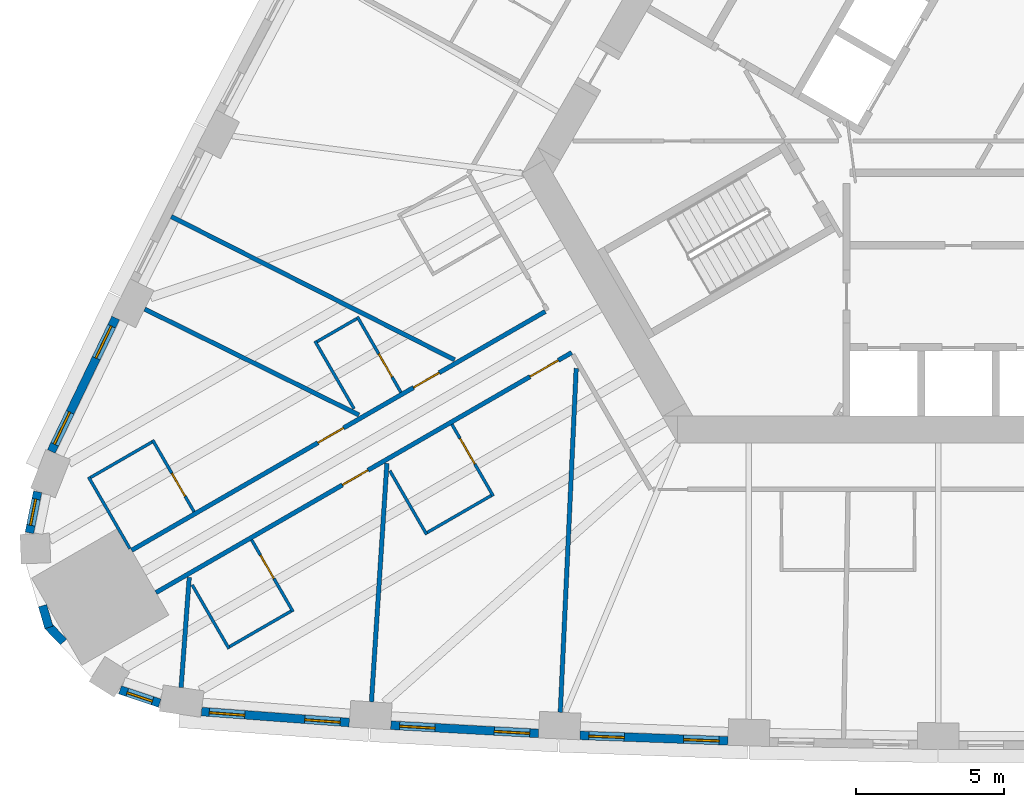
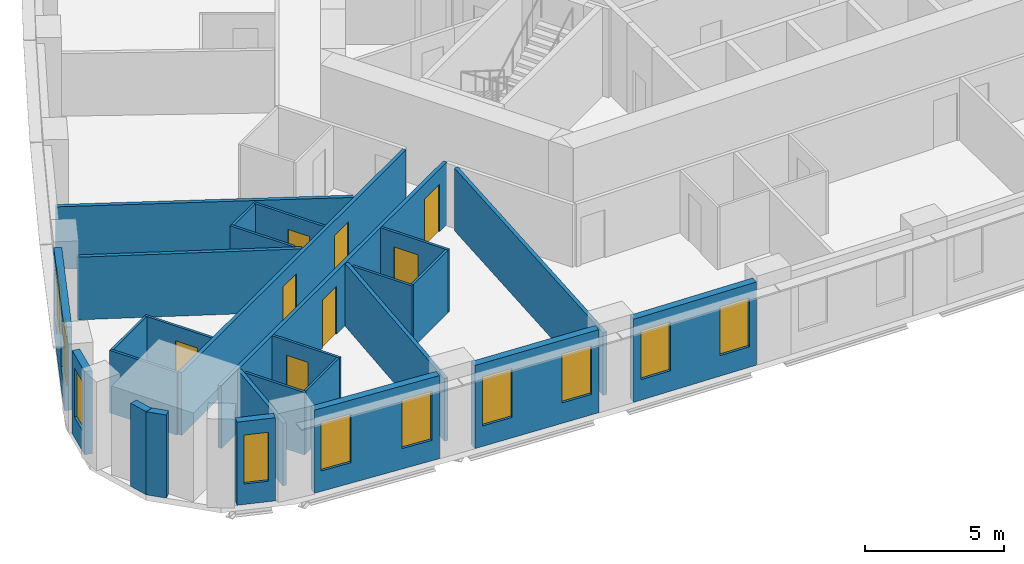
# One storey, part 3 of 13: 27 walls, 10 windows, 8 doors, 18 openings.
"""IFC4 building model written with IfcOpenShell, lengths in metres."""

from ifc_helpers import new_model, si_unit, direction, frame, frame_2d, origin, place, context, subcontext, project, spatial, rectangle, extrude, material, layer, layer_set, type_object, element, fill, save


model = new_model("IFC4")

# Units and contexts
model_context = context("Model", 3, precision=1e-05, world=origin(), true_north=direction((0.0, 1.0)))
body_context = subcontext(model_context, "Body", "Model", "MODEL_VIEW")
ifc_project = project(units=[si_unit("LENGTHUNIT", "METRE"), si_unit("AREAUNIT", "SQUARE_METRE"), si_unit("VOLUMEUNIT", "CUBIC_METRE"), si_unit("PLANEANGLEUNIT", "RADIAN"), si_unit("MASSUNIT", "GRAM", prefix="KILO")], contexts=[model_context])

# Site, building, storey
site_placement = place(None, origin())
site = spatial("IfcSite", under=ifc_project, at=site_placement, CompositionType="ELEMENT")
building_placement = place(site_placement, origin())
building = spatial("IfcBuilding", under=site, at=building_placement, Name="Mestral Congress Tower", CompositionType="ELEMENT")
storey_placement = place(building_placement, frame((0.0, 0.0, 54.89990234375)))
storey = spatial("IfcBuildingStorey", under=building, at=storey_placement, Name="L12", CompositionType="ELEMENT", Elevation=54.89990234375)

# Wall, openings, windows
ifc_material_1 = material(Name="Precast concrete C40/50 with limestone facing", Category="masonry")
ifc_layer_1 = layer(ifc_material_1, 0.2900390625)
ifc_layer_set_1 = layer_set([ifc_layer_1], Name="Precast concrete C40/50 with limestone facing")
wall_type_1 = type_object("IfcWallType", Name="Facade stone wall 290", PredefinedType="SOLIDWALL", material=ifc_layer_set_1)
wall_1_placement = place(storey_placement, frame((-28.097900390625, -22.086181640625, 0.0), z_axis=(0.0, 0.0, 1.0), x_axis=(0.997266290399, -0.073891447643, 0.0)))
wall_1 = element("IfcWall", 1, at=wall_1_placement, inside=storey, type_object=wall_type_1, Name="Facade wall F0-00", PredefinedType="SOLIDWALL", context=body_context, shape_type="SweptSolid", body=[
    extrude(rectangle(XDim=5.005615234375, YDim=0.2900390625, at=frame_2d((2.5029296875, 0.0))), origin(), (0.0, 0.0, 1.0), 3.650146484375),
])
opening_1_placement = place(wall_1_placement, frame((0.26513671875, 0.0, 0.89990234375)))
opening_1 = element("IfcOpeningElement", 2, at=opening_1_placement, cuts=wall_1, Name="Opening W1", PredefinedType="OPENING", context=body_context, shape_type="SweptSolid", body=[
    extrude(rectangle(XDim=1.199951171875, YDim=2.14990234375, at=frame_2d((0.60009765625, 1.074951171875))), frame((0.0, 0.155029296875, 0.0), z_axis=(0.0, -1.0, 0.0), x_axis=(1.0, 0.0, 0.0)), (0.0, 0.0, 1.0), 0.31005859375),
])
opening_2_placement = place(wall_1_placement, frame((3.49560546875, 0.0, 0.89990234375)))
opening_2 = element("IfcOpeningElement", 3, at=opening_2_placement, cuts=wall_1, Name="Opening W1", PredefinedType="OPENING", context=body_context, shape_type="SweptSolid", body=[
    extrude(rectangle(XDim=1.199951171875, YDim=2.14990234375, at=frame_2d((0.60009765625, 1.074951171875))), frame((0.0, 0.155029296875, 0.0), z_axis=(0.0, -1.0, 0.0), x_axis=(1.0, 0.0, 0.0)), (0.0, 0.0, 1.0), 0.31005859375),
])
ifc_material_2 = material(Name="Clear low-emissivity double glazing", Category="glass")
window_type_1 = type_object("IfcWindowType", Name="Facade punched window 1200 x 2150 sill 900", PartitioningType="DOUBLE_PANEL_VERTICAL", PredefinedType="WINDOW", material=ifc_material_2)
window_1_placement = place(opening_1_placement, origin())
window_1 = element("IfcWindow", 4, at=window_1_placement, inside=storey, type_object=window_type_1, Name="Window F0-00a", OverallHeight=2.14990234375, OverallWidth=1.199951171875, PartitioningType="DOUBLE_PANEL_VERTICAL", PredefinedType="WINDOW", context=body_context, shape_type="SweptSolid", body=[
    extrude(rectangle(XDim=1.199951171875, YDim=2.14990234375, at=frame_2d((0.60009765625, 1.074951171875))), frame((0.0, 0.01513671875, 0.0), z_axis=(0.0, -1.0, 0.0), x_axis=(1.0, 0.0, 0.0)), (0.0, 0.0, 1.0), 0.06005859375),
])
fill(opening_1, window_1)
window_2_placement = place(opening_2_placement, origin())
window_2 = element("IfcWindow", 5, at=window_2_placement, inside=storey, type_object=window_type_1, Name="Window F0-00b", OverallHeight=2.14990234375, OverallWidth=1.199951171875, PartitioningType="DOUBLE_PANEL_VERTICAL", PredefinedType="WINDOW", context=body_context, shape_type="SweptSolid", body=[
    extrude(rectangle(XDim=1.199951171875, YDim=2.14990234375, at=frame_2d((0.60009765625, 1.074951171875))), frame((0.0, 0.01513671875, 0.0), z_axis=(0.0, -1.0, 0.0), x_axis=(1.0, 0.0, 0.0)), (0.0, 0.0, 1.0), 0.06005859375),
])
fill(opening_2, window_2)

wall_2_placement = place(storey_placement, frame((-21.701416015625, -22.547119140625, 0.0), z_axis=(0.0, 0.0, 1.0), x_axis=(0.998464708705, -0.055391564976, 0.0)))
wall_2 = element("IfcWall", 6, at=wall_2_placement, inside=storey, type_object=wall_type_1, Name="Facade wall F0-01", PredefinedType="SOLIDWALL", context=body_context, shape_type="SweptSolid", body=[
    extrude(rectangle(XDim=4.998046875, YDim=0.2900390625, at=frame_2d((2.4990234375, 0.0))), origin(), (0.0, 0.0, 1.0), 3.650146484375),
])
opening_3_placement = place(wall_2_placement, frame((0.297119140625, 0.0, 0.89990234375)))
opening_3 = element("IfcOpeningElement", 7, at=opening_3_placement, cuts=wall_2, Name="Opening W1", PredefinedType="OPENING", context=body_context, shape_type="SweptSolid", body=[
    extrude(rectangle(XDim=1.199951171875, YDim=2.14990234375, at=frame_2d((0.60009765625, 1.074951171875))), frame((0.0, 0.155029296875, 0.0), z_axis=(0.0, -1.0, 0.0), x_axis=(1.0, 0.0, 0.0)), (0.0, 0.0, 1.0), 0.31005859375),
])
opening_4_placement = place(wall_2_placement, frame((3.501220703125, 0.0, 0.89990234375)))
opening_4 = element("IfcOpeningElement", 8, at=opening_4_placement, cuts=wall_2, Name="Opening W1", PredefinedType="OPENING", context=body_context, shape_type="SweptSolid", body=[
    extrude(rectangle(XDim=1.199951171875, YDim=2.14990234375, at=frame_2d((0.60009765625, 1.074951171875))), frame((0.0, 0.155029296875, 0.0), z_axis=(0.0, -1.0, 0.0), x_axis=(1.0, 0.0, 0.0)), (0.0, 0.0, 1.0), 0.31005859375),
])
window_3_placement = place(opening_3_placement, origin())
window_3 = element("IfcWindow", 9, at=window_3_placement, inside=storey, type_object=window_type_1, Name="Window F0-01a", OverallHeight=2.14990234375, OverallWidth=1.199951171875, PartitioningType="DOUBLE_PANEL_VERTICAL", PredefinedType="WINDOW", context=body_context, shape_type="SweptSolid", body=[
    extrude(rectangle(XDim=1.199951171875, YDim=2.14990234375, at=frame_2d((0.60009765625, 1.074951171875))), frame((0.0, 0.01513671875, 0.0), z_axis=(0.0, -1.0, 0.0), x_axis=(1.0, 0.0, 0.0)), (0.0, 0.0, 1.0), 0.06005859375),
])
fill(opening_3, window_3)
window_4_placement = place(opening_4_placement, origin())
window_4 = element("IfcWindow", 10, at=window_4_placement, inside=storey, type_object=window_type_1, Name="Window F0-01b", OverallHeight=2.14990234375, OverallWidth=1.199951171875, PartitioningType="DOUBLE_PANEL_VERTICAL", PredefinedType="WINDOW", context=body_context, shape_type="SweptSolid", body=[
    extrude(rectangle(XDim=1.199951171875, YDim=2.14990234375, at=frame_2d((0.60009765625, 1.074951171875))), frame((0.0, 0.01513671875, 0.0), z_axis=(0.0, -1.0, 0.0), x_axis=(1.0, 0.0, 0.0)), (0.0, 0.0, 1.0), 0.06005859375),
])
fill(opening_4, window_4)

wall_3_placement = place(storey_placement, frame((-15.30517578125, -22.88916015625, 0.0), z_axis=(0.0, 0.0, 1.0), x_axis=(0.999317974969, -0.036926750529, 0.0)))
wall_3 = element("IfcWall", 11, at=wall_3_placement, inside=storey, type_object=wall_type_1, Name="Facade wall F0-02", PredefinedType="SOLIDWALL", context=body_context, shape_type="SweptSolid", body=[
    extrude(rectangle(XDim=4.998291015625, YDim=0.2900390625, at=frame_2d((2.4990234375, 0.0))), origin(), (0.0, 0.0, 1.0), 3.650146484375),
])
opening_5_placement = place(wall_3_placement, frame((0.297119140625, 0.0, 0.89990234375)))
opening_5 = element("IfcOpeningElement", 12, at=opening_5_placement, cuts=wall_3, Name="Opening W1", PredefinedType="OPENING", context=body_context, shape_type="SweptSolid", body=[
    extrude(rectangle(XDim=1.199951171875, YDim=2.14990234375, at=frame_2d((0.60009765625, 1.074951171875))), frame((0.0, 0.155029296875, 0.0), z_axis=(0.0, -1.0, 0.0), x_axis=(1.0, 0.0, 0.0)), (0.0, 0.0, 1.0), 0.31005859375),
])
opening_6_placement = place(wall_3_placement, frame((3.501220703125, 0.0, 0.89990234375)))
opening_6 = element("IfcOpeningElement", 13, at=opening_6_placement, cuts=wall_3, Name="Opening W1", PredefinedType="OPENING", context=body_context, shape_type="SweptSolid", body=[
    extrude(rectangle(XDim=1.199951171875, YDim=2.14990234375, at=frame_2d((0.60009765625, 1.074951171875))), frame((0.0, 0.155029296875, 0.0), z_axis=(0.0, -1.0, 0.0), x_axis=(1.0, 0.0, 0.0)), (0.0, 0.0, 1.0), 0.31005859375),
])
window_5_placement = place(opening_5_placement, origin())
window_5 = element("IfcWindow", 14, at=window_5_placement, inside=storey, type_object=window_type_1, Name="Window F0-02a", OverallHeight=2.14990234375, OverallWidth=1.199951171875, PartitioningType="DOUBLE_PANEL_VERTICAL", PredefinedType="WINDOW", context=body_context, shape_type="SweptSolid", body=[
    extrude(rectangle(XDim=1.199951171875, YDim=2.14990234375, at=frame_2d((0.60009765625, 1.074951171875))), frame((0.0, 0.01513671875, 0.0), z_axis=(0.0, -1.0, 0.0), x_axis=(1.0, 0.0, 0.0)), (0.0, 0.0, 1.0), 0.06005859375),
])
fill(opening_5, window_5)
window_6_placement = place(opening_6_placement, origin())
window_6 = element("IfcWindow", 15, at=window_6_placement, inside=storey, type_object=window_type_1, Name="Window F0-02b", OverallHeight=2.14990234375, OverallWidth=1.199951171875, PartitioningType="DOUBLE_PANEL_VERTICAL", PredefinedType="WINDOW", context=body_context, shape_type="SweptSolid", body=[
    extrude(rectangle(XDim=1.199951171875, YDim=2.14990234375, at=frame_2d((0.60009765625, 1.074951171875))), frame((0.0, 0.01513671875, 0.0), z_axis=(0.0, -1.0, 0.0), x_axis=(1.0, 0.0, 0.0)), (0.0, 0.0, 1.0), 0.06005859375),
])
fill(opening_6, window_6)

wall_4_placement = place(storey_placement, frame((-31.000244140625, -8.7822265625, 0.0), z_axis=(0.0, 0.0, 1.0), x_axis=(-0.434664499056, -0.900592456808, 0.0)))
wall_4 = element("IfcWall", 16, at=wall_4_placement, inside=storey, type_object=wall_type_1, Name="Facade wall F2-08", PredefinedType="SOLIDWALL", context=body_context, shape_type="SweptSolid", body=[
    extrude(rectangle(XDim=5.005615234375, YDim=0.2900390625, at=frame_2d((2.5029296875, 0.0))), origin(), (0.0, 0.0, 1.0), 3.650146484375),
])
opening_7_placement = place(wall_4_placement, frame((0.310302734375, 0.0, 0.89990234375)))
opening_7 = element("IfcOpeningElement", 17, at=opening_7_placement, cuts=wall_4, Name="Opening W1", PredefinedType="OPENING", context=body_context, shape_type="SweptSolid", body=[
    extrude(rectangle(XDim=1.199951171875, YDim=2.14990234375, at=frame_2d((0.60009765625, 1.074951171875))), frame((0.0, 0.155029296875, 0.0), z_axis=(0.0, -1.0, 0.0), x_axis=(1.0, 0.0, 0.0)), (0.0, 0.0, 1.0), 0.31005859375),
])
opening_8_placement = place(wall_4_placement, frame((3.54052734375, 0.0, 0.89990234375)))
opening_8 = element("IfcOpeningElement", 18, at=opening_8_placement, cuts=wall_4, Name="Opening W1", PredefinedType="OPENING", context=body_context, shape_type="SweptSolid", body=[
    extrude(rectangle(XDim=1.199951171875, YDim=2.14990234375, at=frame_2d((0.60009765625, 1.074951171875))), frame((0.0, 0.155029296875, 0.0), z_axis=(0.0, -1.0, 0.0), x_axis=(1.0, 0.0, 0.0)), (0.0, 0.0, 1.0), 0.31005859375),
])
window_7_placement = place(opening_7_placement, origin())
window_7 = element("IfcWindow", 19, at=window_7_placement, inside=storey, type_object=window_type_1, Name="Window F2-08a", OverallHeight=2.14990234375, OverallWidth=1.199951171875, PartitioningType="DOUBLE_PANEL_VERTICAL", PredefinedType="WINDOW", context=body_context, shape_type="SweptSolid", body=[
    extrude(rectangle(XDim=1.199951171875, YDim=2.14990234375, at=frame_2d((0.60009765625, 1.074951171875))), frame((0.0, 0.01513671875, 0.0), z_axis=(0.0, -1.0, 0.0), x_axis=(1.0, 0.0, 0.0)), (0.0, 0.0, 1.0), 0.06005859375),
])
fill(opening_7, window_7)
window_8_placement = place(opening_8_placement, origin())
window_8 = element("IfcWindow", 20, at=window_8_placement, inside=storey, type_object=window_type_1, Name="Window F2-08b", OverallHeight=2.14990234375, OverallWidth=1.199951171875, PartitioningType="DOUBLE_PANEL_VERTICAL", PredefinedType="WINDOW", context=body_context, shape_type="SweptSolid", body=[
    extrude(rectangle(XDim=1.199951171875, YDim=2.14990234375, at=frame_2d((0.60009765625, 1.074951171875))), frame((0.0, 0.01513671875, 0.0), z_axis=(0.0, -1.0, 0.0), x_axis=(1.0, 0.0, 0.0)), (0.0, 0.0, 1.0), 0.06005859375),
])
fill(opening_8, window_8)

# Wall, opening, window
wall_5_placement = place(storey_placement, frame((-33.63720703125, -14.656982421875, 0.0), z_axis=(0.0, 0.0, 1.0), x_axis=(-0.198106888228, -0.980180422594, 0.0)))
wall_5 = element("IfcWall", 21, at=wall_5_placement, inside=storey, type_object=wall_type_1, Name="Facade wall K2-0", PredefinedType="SOLIDWALL", context=body_context, shape_type="SweptSolid", body=[
    extrude(rectangle(XDim=1.414794921875, YDim=0.2900390625, at=frame_2d((0.70751953125, 0.0))), origin(), (0.0, 0.0, 1.0), 3.650146484375),
])
opening_9_placement = place(wall_5_placement, frame((0.25732421875, 0.0, 0.89990234375)))
opening_9 = element("IfcOpeningElement", 22, at=opening_9_placement, cuts=wall_5, Name="Opening W3", PredefinedType="OPENING", context=body_context, shape_type="SweptSolid", body=[
    extrude(rectangle(XDim=0.89990234375, YDim=2.14990234375, at=frame_2d((0.449951171875, 1.074951171875))), frame((0.0, 0.155029296875, 0.0), z_axis=(0.0, -1.0, 0.0), x_axis=(1.0, 0.0, 0.0)), (0.0, 0.0, 1.0), 0.31005859375),
])
window_type_2 = type_object("IfcWindowType", Name="Facade punched window 900 x 2150 sill 900", PartitioningType="SINGLE_PANEL", PredefinedType="WINDOW", material=ifc_material_2)
window_9_placement = place(opening_9_placement, origin())
window_9 = element("IfcWindow", 23, at=window_9_placement, inside=storey, type_object=window_type_2, Name="Window K2-0", OverallHeight=2.14990234375, OverallWidth=0.89990234375, PartitioningType="SINGLE_PANEL", PredefinedType="WINDOW", context=body_context, shape_type="SweptSolid", body=[
    extrude(rectangle(XDim=0.89990234375, YDim=2.14990234375, at=frame_2d((0.449951171875, 1.074951171875))), frame((0.0, 0.01513671875, 0.0), z_axis=(0.0, -1.0, 0.0), x_axis=(1.0, 0.0, 0.0)), (0.0, 0.0, 1.0), 0.06005859375),
])
fill(opening_9, window_9)

# Walls
for number, where, z_axis, x_axis, name in (
    (24, (-33.4697265625, -18.507080078125, 0.0), (0.0, 0.0, 1.0), (0.278981320915, -0.960296528464, 0.0), "Facade wall K2-1"),
    (25, (-33.291259765625, -19.180908203125, 0.0), (0.0, 0.0, 1.0), (0.692252359589, -0.721655506903, 0.0), "Facade wall K2-2"),
):
    element("IfcWall", number, at=place(storey_placement, frame(where, z_axis=z_axis, x_axis=x_axis)), inside=storey, type_object=wall_type_1, Name=name, PredefinedType="SOLIDWALL", context=body_context, shape_type="SweptSolid", body=[
        extrude(rectangle(XDim=0.763916015625, YDim=0.2900390625, at=frame_2d((0.3818359375, 0.0))), origin(), (0.0, 0.0, 1.0), 3.650146484375),
    ])

# Wall, opening, window
wall_6_placement = place(storey_placement, frame((-30.852783203125, -21.3515625, 0.0), z_axis=(0.0, 0.0, 1.0), x_axis=(0.947903891592, -0.318556450734, 0.0)))
wall_6 = element("IfcWall", 26, at=wall_6_placement, inside=storey, type_object=wall_type_1, Name="Facade wall K2-3", PredefinedType="SOLIDWALL", context=body_context, shape_type="SweptSolid", body=[
    extrude(rectangle(XDim=1.414794921875, YDim=0.2900390625, at=frame_2d((0.70751953125, 0.0))), origin(), (0.0, 0.0, 1.0), 3.650146484375),
])
opening_10_placement = place(wall_6_placement, frame((0.25732421875, 0.0, 0.89990234375)))
opening_10 = element("IfcOpeningElement", 27, at=opening_10_placement, cuts=wall_6, Name="Opening W3", PredefinedType="OPENING", context=body_context, shape_type="SweptSolid", body=[
    extrude(rectangle(XDim=0.89990234375, YDim=2.14990234375, at=frame_2d((0.449951171875, 1.074951171875))), frame((0.0, 0.155029296875, 0.0), z_axis=(0.0, -1.0, 0.0), x_axis=(1.0, 0.0, 0.0)), (0.0, 0.0, 1.0), 0.31005859375),
])
window_10_placement = place(opening_10_placement, origin())
window_10 = element("IfcWindow", 28, at=window_10_placement, inside=storey, type_object=window_type_2, Name="Window K2-3", OverallHeight=2.14990234375, OverallWidth=0.89990234375, PartitioningType="SINGLE_PANEL", PredefinedType="WINDOW", context=body_context, shape_type="SweptSolid", body=[
    extrude(rectangle(XDim=0.89990234375, YDim=2.14990234375, at=frame_2d((0.449951171875, 1.074951171875))), frame((0.0, 0.01513671875, 0.0), z_axis=(0.0, -1.0, 0.0), x_axis=(1.0, 0.0, 0.0)), (0.0, 0.0, 1.0), 0.06005859375),
])
fill(opening_10, window_10)

# Wall, opening, door
ifc_material_3 = material(Name="Gypsum board partition on metal studs with mineral wool", Category="composite")
ifc_layer_2 = layer(ifc_material_3, 0.10009765625)
ifc_layer_set_2 = layer_set([ifc_layer_2], Name="Gypsum board partition on metal studs with mineral wool")
wall_type_2 = type_object("IfcWallType", Name="Hotel partition wall 100", PredefinedType="PARTITIONING", material=ifc_layer_set_2)
wall_7_placement = place(storey_placement, frame((-25.0048828125, -18.708984375, 0.0), z_axis=(0.0, 0.0, 1.0), x_axis=(-0.49998411664, 0.866034573852, 0.0)))
wall_7 = element("IfcWall", 29, at=wall_7_placement, inside=storey, type_object=wall_type_2, Name="L12-h-pod01a", PredefinedType="PARTITIONING", context=body_context, shape_type="SweptSolid", body=[
    extrude(rectangle(XDim=2.7998046875, YDim=0.10009765625, at=frame_2d((1.39990234375, 0.0))), origin(), (0.0, 0.0, 1.0), 2.75),
])
opening_11_placement = place(wall_7_placement, frame((1.300048828125, 0.0, 0.0)))
opening_11 = element("IfcOpeningElement", 30, at=opening_11_placement, cuts=wall_7, Name="Opening H03-002", PredefinedType="OPENING", context=body_context, shape_type="SweptSolid", body=[
    extrude(rectangle(XDim=0.89990234375, YDim=2.10009765625, at=frame_2d((0.449951171875, 1.050048828125))), frame((0.0, 0.06005859375, 0.0), z_axis=(0.0, -1.0, 0.0), x_axis=(1.0, 0.0, 0.0)), (0.0, 0.0, 1.0), 0.1201171875),
])
ifc_material_4 = material(Name="Timber veneer door leaf in timber frame", Category="wood")
door_type_1 = type_object("IfcDoorType", Name="Bathroom door 900", OperationType="SINGLE_SWING_LEFT", PredefinedType="DOOR", material=ifc_material_4)
door_1_placement = place(opening_11_placement, origin())
door_1 = element("IfcDoor", 31, at=door_1_placement, inside=storey, type_object=door_type_1, Name="L12-h-d002", OperationType="SINGLE_SWING_LEFT", OverallHeight=2.10009765625, OverallWidth=0.89990234375, PredefinedType="DOOR", context=body_context, shape_type="SweptSolid", body=[
    extrude(rectangle(XDim=0.89990234375, YDim=2.10009765625, at=frame_2d((0.449951171875, 1.050048828125))), frame((0.0, 0.02490234375, 0.0), z_axis=(0.0, -1.0, 0.0), x_axis=(1.0, 0.0, 0.0)), (0.0, 0.0, 1.0), 0.050048828125),
])
fill(opening_11, door_1)

# Walls
wall_8_placement = place(storey_placement, frame((-25.072998046875, -18.690673828125, 0.0), z_axis=(0.0, 0.0, 1.0), x_axis=(-0.866050077142, -0.499957262057, 0.0)))
element("IfcWall", 32, at=wall_8_placement, inside=storey, type_object=wall_type_2, Name="L12-h-pod01b", PredefinedType="PARTITIONING", context=body_context, shape_type="SweptSolid", body=[
    extrude(rectangle(XDim=2.400146484375, YDim=0.10009765625, at=frame_2d((1.2001953125, 0.0))), origin(), (0.0, 0.0, 1.0), 2.75),
])
wall_9_placement = place(storey_placement, frame((-28.414794921875, -17.802490234375, 0.0), z_axis=(0.0, 0.0, 1.0), x_axis=(0.499945955465, -0.866056604163, 0.0)))
element("IfcWall", 33, at=wall_9_placement, inside=storey, type_object=wall_type_2, Name="L12-h-pod01c", PredefinedType="PARTITIONING", context=body_context, shape_type="SweptSolid", body=[
    extrude(rectangle(XDim=2.489990234375, YDim=0.10009765625, at=frame_2d((1.2451171875, 0.0))), origin(), (0.0, 0.0, 1.0), 2.75),
])

# Wall, opening, door
wall_10_placement = place(storey_placement, frame((-18.2373046875, -14.8017578125, 0.0), z_axis=(0.0, 0.0, 1.0), x_axis=(-0.49994636267, 0.866056369097, 0.0)))
wall_10 = element("IfcWall", 34, at=wall_10_placement, inside=storey, type_object=wall_type_2, Name="L12-h-pod02a", PredefinedType="PARTITIONING", context=body_context, shape_type="SweptSolid", body=[
    extrude(rectangle(XDim=2.800048828125, YDim=0.10009765625, at=frame_2d((1.39990234375, 0.0))), origin(), (0.0, 0.0, 1.0), 2.75),
])
opening_12_placement = place(wall_10_placement, frame((1.25, 0.0, 0.0)))
opening_12 = element("IfcOpeningElement", 35, at=opening_12_placement, cuts=wall_10, Name="Opening H03-004", PredefinedType="OPENING", context=body_context, shape_type="SweptSolid", body=[
    extrude(rectangle(XDim=1.0, YDim=2.10009765625, at=frame_2d((0.5, 1.050048828125))), frame((0.0, 0.06005859375, 0.0), z_axis=(0.0, -1.0, 0.0), x_axis=(1.0, 0.0, 0.0)), (0.0, 0.0, 1.0), 0.1201171875),
])
door_type_2 = type_object("IfcDoorType", Name="Accessible bathroom door 1000", OperationType="SINGLE_SWING_LEFT", PredefinedType="DOOR", material=ifc_material_4)
door_2_placement = place(opening_12_placement, origin())
door_2 = element("IfcDoor", 36, at=door_2_placement, inside=storey, type_object=door_type_2, Name="L12-h-d004", OperationType="SINGLE_SWING_LEFT", OverallHeight=2.10009765625, OverallWidth=1.0, PredefinedType="DOOR", context=body_context, shape_type="SweptSolid", body=[
    extrude(rectangle(XDim=1.0, YDim=2.10009765625, at=frame_2d((0.5, 1.050048828125))), frame((0.0, 0.02490234375, 0.0), z_axis=(0.0, -1.0, 0.0), x_axis=(1.0, 0.0, 0.0)), (0.0, 0.0, 1.0), 0.050048828125),
])
fill(opening_12, door_2)

# Walls
wall_11_placement = place(storey_placement, frame((-18.305419921875, -14.783447265625, 0.0), z_axis=(0.0, 0.0, 1.0), x_axis=(-0.866047370643, -0.499961950354, 0.0)))
element("IfcWall", 37, at=wall_11_placement, inside=storey, type_object=wall_type_2, Name="L12-h-pod02b", PredefinedType="PARTITIONING", context=body_context, shape_type="SweptSolid", body=[
    extrude(rectangle(XDim=2.500244140625, YDim=0.10009765625, at=frame_2d((1.25, 0.0))), origin(), (0.0, 0.0, 1.0), 2.75),
])
wall_12_placement = place(storey_placement, frame((-21.73388671875, -13.9453125, 0.0), z_axis=(0.0, 0.0, 1.0), x_axis=(0.499945955465, -0.866056604163, 0.0)))
element("IfcWall", 38, at=wall_12_placement, inside=storey, type_object=wall_type_2, Name="L12-h-pod02c", PredefinedType="PARTITIONING", context=body_context, shape_type="SweptSolid", body=[
    extrude(rectangle(XDim=2.489990234375, YDim=0.10009765625, at=frame_2d((1.2451171875, 0.0))), origin(), (0.0, 0.0, 1.0), 2.75),
])

# Wall, opening, door
wall_13_placement = place(storey_placement, frame((-21.360107421875, -11.29296875, 0.0), z_axis=(0.0, 0.0, 1.0), x_axis=(-0.49997559174, 0.866039495442, 0.0)))
wall_13 = element("IfcWall", 39, at=wall_13_placement, inside=storey, type_object=wall_type_2, Name="L12-h-pod25a", PredefinedType="PARTITIONING", context=body_context, shape_type="SweptSolid", body=[
    extrude(rectangle(XDim=2.949951171875, YDim=0.10009765625, at=frame_2d((1.47509765625, 0.0))), origin(), (0.0, 0.0, 1.0), 2.75),
])
opening_13_placement = place(wall_13_placement, frame((0.60009765625, 0.0, 0.0)))
opening_13 = element("IfcOpeningElement", 40, at=opening_13_placement, cuts=wall_13, Name="Opening H03-048", PredefinedType="OPENING", context=body_context, shape_type="SweptSolid", body=[
    extrude(rectangle(XDim=0.89990234375, YDim=2.10009765625, at=frame_2d((0.449951171875, 1.050048828125))), frame((0.0, 0.06005859375, 0.0), z_axis=(0.0, -1.0, 0.0), x_axis=(1.0, 0.0, 0.0)), (0.0, 0.0, 1.0), 0.1201171875),
])
door_3_placement = place(opening_13_placement, origin())
door_3 = element("IfcDoor", 41, at=door_3_placement, inside=storey, type_object=door_type_1, Name="L12-h-d048", OperationType="SINGLE_SWING_LEFT", OverallHeight=2.10009765625, OverallWidth=0.89990234375, PredefinedType="DOOR", context=body_context, shape_type="SweptSolid", body=[
    extrude(rectangle(XDim=0.89990234375, YDim=2.10009765625, at=frame_2d((0.449951171875, 1.050048828125))), frame((0.0, 0.02490234375, 0.0), z_axis=(0.0, -1.0, 0.0), x_axis=(1.0, 0.0, 0.0)), (0.0, 0.0, 1.0), 0.050048828125),
])
fill(opening_13, door_3)

# Walls
wall_14_placement = place(storey_placement, frame((-22.853271484375, -8.806396484375, 0.0), z_axis=(0.0, 0.0, 1.0), x_axis=(-0.86601511528, -0.500017819788, 0.0)))
element("IfcWall", 42, at=wall_14_placement, inside=storey, type_object=wall_type_2, Name="L12-h-pod25b", PredefinedType="PARTITIONING", context=body_context, shape_type="SweptSolid", body=[
    extrude(rectangle(XDim=1.55029296875, YDim=0.10009765625, at=frame_2d((0.775146484375, 0.0))), origin(), (0.0, 0.0, 1.0), 2.75),
])
wall_15_placement = place(storey_placement, frame((-22.944091796875, -11.849609375, 0.0), z_axis=(0.0, 0.0, 1.0), x_axis=(-0.499938597367, 0.866060851709, 0.0)))
element("IfcWall", 43, at=wall_15_placement, inside=storey, type_object=wall_type_2, Name="L12-h-pod25c", PredefinedType="PARTITIONING", context=body_context, shape_type="SweptSolid", body=[
    extrude(rectangle(XDim=2.639892578125, YDim=0.10009765625, at=frame_2d((1.31982421875, 0.0))), origin(), (0.0, 0.0, 1.0), 2.75),
])

# Wall, opening, door
wall_16_placement = place(storey_placement, frame((-28.352294921875, -15.330078125, 0.0), z_axis=(0.0, 0.0, 1.0), x_axis=(-0.500049511043, 0.865996816683, 0.0)))
wall_16 = element("IfcWall", 44, at=wall_16_placement, inside=storey, type_object=wall_type_2, Name="L12-h-pod26a", PredefinedType="PARTITIONING", context=body_context, shape_type="SweptSolid", body=[
    extrude(rectangle(XDim=2.800048828125, YDim=0.10009765625, at=frame_2d((1.39990234375, 0.0))), origin(), (0.0, 0.0, 1.0), 2.75),
])
opening_14_placement = place(wall_16_placement, frame((0.60009765625, 0.0, 0.0)))
opening_14 = element("IfcOpeningElement", 45, at=opening_14_placement, cuts=wall_16, Name="Opening H03-050", PredefinedType="OPENING", context=body_context, shape_type="SweptSolid", body=[
    extrude(rectangle(XDim=0.89990234375, YDim=2.10009765625, at=frame_2d((0.449951171875, 1.050048828125))), frame((0.0, 0.06005859375, 0.0), z_axis=(0.0, -1.0, 0.0), x_axis=(1.0, 0.0, 0.0)), (0.0, 0.0, 1.0), 0.1201171875),
])
door_4_placement = place(opening_14_placement, origin())
door_4 = element("IfcDoor", 46, at=door_4_placement, inside=storey, type_object=door_type_1, Name="L12-h-d050", OperationType="SINGLE_SWING_LEFT", OverallHeight=2.10009765625, OverallWidth=0.89990234375, PredefinedType="DOOR", context=body_context, shape_type="SweptSolid", body=[
    extrude(rectangle(XDim=0.89990234375, YDim=2.10009765625, at=frame_2d((0.449951171875, 1.050048828125))), frame((0.0, 0.02490234375, 0.0), z_axis=(0.0, -1.0, 0.0), x_axis=(1.0, 0.0, 0.0)), (0.0, 0.0, 1.0), 0.050048828125),
])
fill(opening_14, door_4)

# Walls
wall_17_placement = place(storey_placement, frame((-29.770751953125, -12.973388671875, 0.0), z_axis=(0.0, 0.0, 1.0), x_axis=(-0.865980596518, -0.500077600433, 0.0)))
element("IfcWall", 47, at=wall_17_placement, inside=storey, type_object=wall_type_2, Name="L12-h-pod26b", PredefinedType="PARTITIONING", context=body_context, shape_type="SweptSolid", body=[
    extrude(rectangle(XDim=2.39990234375, YDim=0.10009765625, at=frame_2d((1.199951171875, 0.0))), origin(), (0.0, 0.0, 1.0), 2.75),
])
wall_18_placement = place(storey_placement, frame((-30.517578125, -16.580078125, 0.0), z_axis=(0.0, 0.0, 1.0), x_axis=(-0.49998411664, 0.866034573852, 0.0)))
element("IfcWall", 48, at=wall_18_placement, inside=storey, type_object=wall_type_2, Name="L12-h-pod26c", PredefinedType="PARTITIONING", context=body_context, shape_type="SweptSolid", body=[
    extrude(rectangle(XDim=2.7998046875, YDim=0.10009765625, at=frame_2d((1.39990234375, 0.0))), origin(), (0.0, 0.0, 1.0), 2.75),
])

# Wall, openings, doors
ifc_layer_3 = layer(ifc_material_3, 0.14990234375)
ifc_layer_set_3 = layer_set([ifc_layer_3], Name="Gypsum board partition on metal studs with mineral wool")
wall_type_3 = type_object("IfcWallType", Name="Hotel partition wall 150", PredefinedType="PARTITIONING", material=ifc_layer_set_3)
wall_19_placement = place(storey_placement, frame((-30.462646484375, -16.635009765625, 0.0), z_axis=(0.0, 0.0, 1.0), x_axis=(0.866022394896, 0.500005211512, 0.0)))
wall_19 = element("IfcWall", 49, at=wall_19_placement, inside=storey, type_object=wall_type_3, Name="L12-h-cw10", PredefinedType="PARTITIONING", context=body_context, shape_type="SweptSolid", body=[
    extrude(rectangle(XDim=16.143798828125, YDim=0.14990234375, at=frame_2d((8.07177734375, 0.0))), origin(), (0.0, 0.0, 1.0), 2.75),
])
opening_15_placement = place(wall_19_placement, frame((11.004150390625, 0.0, 0.0)))
opening_15 = element("IfcOpeningElement", 50, at=opening_15_placement, cuts=wall_19, Name="Opening H03-047", PredefinedType="OPENING", context=body_context, shape_type="SweptSolid", body=[
    extrude(rectangle(XDim=1.0, YDim=2.10009765625, at=frame_2d((0.5, 1.050048828125))), frame((0.0, 0.0849609375, 0.0), z_axis=(0.0, -1.0, 0.0), x_axis=(1.0, 0.0, 0.0)), (0.0, 0.0, 1.0), 0.169921875),
])
opening_16_placement = place(wall_19_placement, frame((7.273681640625, 0.0, 0.0)))
opening_16 = element("IfcOpeningElement", 51, at=opening_16_placement, cuts=wall_19, Name="Opening H03-049", PredefinedType="OPENING", context=body_context, shape_type="SweptSolid", body=[
    extrude(rectangle(XDim=1.0, YDim=2.10009765625, at=frame_2d((0.5, 1.050048828125))), frame((0.0, 0.0849609375, 0.0), z_axis=(0.0, -1.0, 0.0), x_axis=(1.0, 0.0, 0.0)), (0.0, 0.0, 1.0), 0.169921875),
])
ifc_material_5 = material(Name="Timber veneer door leaf in metal frame", Category="wood")
door_type_3 = type_object("IfcDoorType", Name="Guest room entrance door 1000", OperationType="SINGLE_SWING_LEFT", PredefinedType="DOOR", material=ifc_material_5)
door_5_placement = place(opening_15_placement, origin())
door_5 = element("IfcDoor", 52, at=door_5_placement, inside=storey, type_object=door_type_3, Name="L12-h-d047", OperationType="SINGLE_SWING_RIGHT", OverallHeight=2.10009765625, OverallWidth=1.0, PredefinedType="DOOR", context=body_context, shape_type="SweptSolid", body=[
    extrude(rectangle(XDim=1.0, YDim=2.10009765625, at=frame_2d((0.5, 1.050048828125))), frame((0.0, 0.02490234375, 0.0), z_axis=(0.0, -1.0, 0.0), x_axis=(1.0, 0.0, 0.0)), (0.0, 0.0, 1.0), 0.050048828125),
])
fill(opening_15, door_5)
door_6_placement = place(opening_16_placement, origin())
door_6 = element("IfcDoor", 53, at=door_6_placement, inside=storey, type_object=door_type_3, Name="L12-h-d049", OperationType="SINGLE_SWING_RIGHT", OverallHeight=2.10009765625, OverallWidth=1.0, PredefinedType="DOOR", context=body_context, shape_type="SweptSolid", body=[
    extrude(rectangle(XDim=1.0, YDim=2.10009765625, at=frame_2d((0.5, 1.050048828125))), frame((0.0, 0.02490234375, 0.0), z_axis=(0.0, -1.0, 0.0), x_axis=(1.0, 0.0, 0.0)), (0.0, 0.0, 1.0), 0.050048828125),
])
fill(opening_16, door_6)

wall_20_placement = place(storey_placement, frame((-15.58740234375, -9.951904296875, 0.0), z_axis=(0.0, 0.0, 1.0), x_axis=(-0.866022197818, -0.500005552856, 0.0)))
wall_20 = element("IfcWall", 54, at=wall_20_placement, inside=storey, type_object=wall_type_3, Name="L12-h-cw11", PredefinedType="PARTITIONING", context=body_context, shape_type="SweptSolid", body=[
    extrude(rectangle(XDim=16.223876953125, YDim=0.14990234375, at=frame_2d((8.11181640625, 0.0))), origin(), (0.0, 0.0, 1.0), 2.75),
])
opening_17_placement = place(wall_20_placement, frame((7.948974609375, 0.0, 0.0)))
opening_17 = element("IfcOpeningElement", 55, at=opening_17_placement, cuts=wall_20, Name="Opening H03-001", PredefinedType="OPENING", context=body_context, shape_type="SweptSolid", body=[
    extrude(rectangle(XDim=1.0, YDim=2.10009765625, at=frame_2d((0.5, 1.050048828125))), frame((0.0, 0.0849609375, 0.0), z_axis=(0.0, -1.0, 0.0), x_axis=(1.0, 0.0, 0.0)), (0.0, 0.0, 1.0), 0.169921875),
])
opening_18_placement = place(wall_20_placement, frame((0.525146484375, 0.0, 0.0)))
opening_18 = element("IfcOpeningElement", 56, at=opening_18_placement, cuts=wall_20, Name="Opening H03-003", PredefinedType="OPENING", context=body_context, shape_type="SweptSolid", body=[
    extrude(rectangle(XDim=1.10009765625, YDim=2.10009765625, at=frame_2d((0.550048828125, 1.050048828125))), frame((0.0, 0.0849609375, 0.0), z_axis=(0.0, -1.0, 0.0), x_axis=(1.0, 0.0, 0.0)), (0.0, 0.0, 1.0), 0.169921875),
])
door_type_4 = type_object("IfcDoorType", Name="Accessible room entrance door 1100", OperationType="SINGLE_SWING_LEFT", PredefinedType="DOOR", material=ifc_material_5)
door_7_placement = place(opening_18_placement, origin())
door_7 = element("IfcDoor", 57, at=door_7_placement, inside=storey, type_object=door_type_4, Name="L12-h-d003", OperationType="SINGLE_SWING_LEFT", OverallHeight=2.10009765625, OverallWidth=1.10009765625, PredefinedType="DOOR", context=body_context, shape_type="SweptSolid", body=[
    extrude(rectangle(XDim=1.10009765625, YDim=2.10009765625, at=frame_2d((0.550048828125, 1.050048828125))), frame((0.0, 0.02490234375, 0.0), z_axis=(0.0, -1.0, 0.0), x_axis=(1.0, 0.0, 0.0)), (0.0, 0.0, 1.0), 0.050048828125),
])
fill(opening_18, door_7)
door_8_placement = place(opening_17_placement, origin())
door_8 = element("IfcDoor", 58, at=door_8_placement, inside=storey, type_object=door_type_3, Name="L12-h-d001", OperationType="SINGLE_SWING_LEFT", OverallHeight=2.10009765625, OverallWidth=1.0, PredefinedType="DOOR", context=body_context, shape_type="SweptSolid", body=[
    extrude(rectangle(XDim=1.0, YDim=2.10009765625, at=frame_2d((0.5, 1.050048828125))), frame((0.0, 0.02490234375, 0.0), z_axis=(0.0, -1.0, 0.0), x_axis=(1.0, 0.0, 0.0)), (0.0, 0.0, 1.0), 0.050048828125),
])
fill(opening_17, door_8)

# Walls
wall_21_placement = place(storey_placement, frame((-28.78955078125, -21.272705078125, 0.0), z_axis=(0.0, 0.0, 1.0), x_axis=(0.07382592098, 0.997271143366, 0.0)))
element("IfcWall", 59, at=wall_21_placement, inside=storey, type_object=wall_type_3, Name="L12-h-pw01", PredefinedType="PARTITIONING", context=body_context, shape_type="SweptSolid", body=[
    extrude(rectangle(XDim=3.733642578125, YDim=0.14990234375, at=frame_2d((1.86669921875, 0.0))), origin(), (0.0, 0.0, 1.0), 2.75),
])
for number, where, z_axis, x_axis, name in (
    (60, (-30.017578125, -8.48291015625, 0.0), (0.0, 0.0, 1.0), (0.896544505264, -0.44295366584, 0.0), "L12-h-pw02"),
    (61, (-22.355224609375, -21.75439453125, 0.0), (0.0, 0.0, 1.0), (0.064639533143, 0.997908678565, 0.0), "L12-h-pw03"),
):
    element("IfcWall", number, at=place(storey_placement, frame(where, z_axis=z_axis, x_axis=x_axis)), inside=storey, type_object=wall_type_3, Name=name, PredefinedType="PARTITIONING", context=body_context, shape_type="SweptSolid", body=[
        extrude(rectangle(XDim=8.078857421875, YDim=0.14990234375, at=frame_2d((4.03955078125, 0.0))), origin(), (0.0, 0.0, 1.0), 2.75),
    ])
wall_22_placement = place(storey_placement, frame((-29.119873046875, -5.355712890625, 0.0), z_axis=(0.0, 0.0, 1.0), x_axis=(0.892401965553, -0.451241323327, 0.0)))
element("IfcWall", 62, at=wall_22_placement, inside=storey, type_object=wall_type_3, Name="L12-h-pw04", PredefinedType="PARTITIONING", context=body_context, shape_type="SweptSolid", body=[
    extrude(rectangle(XDim=10.728759765625, YDim=0.14990234375, at=frame_2d((5.3642578125, 0.0))), origin(), (0.0, 0.0, 1.0), 2.75),
])
wall_23_placement = place(storey_placement, frame((-15.973388671875, -22.10888671875, 0.0), z_axis=(0.0, 0.0, 1.0), x_axis=(0.046191717129, 0.998932592955, 0.0)))
element("IfcWall", 63, at=wall_23_placement, inside=storey, type_object=wall_type_3, Name="L12-h-pw06", PredefinedType="PARTITIONING", context=body_context, shape_type="SweptSolid", body=[
    extrude(rectangle(XDim=11.638427734375, YDim=0.14990234375, at=frame_2d((5.8193359375, 0.0))), origin(), (0.0, 0.0, 1.0), 2.75),
])

save(model, "model.ifc")
